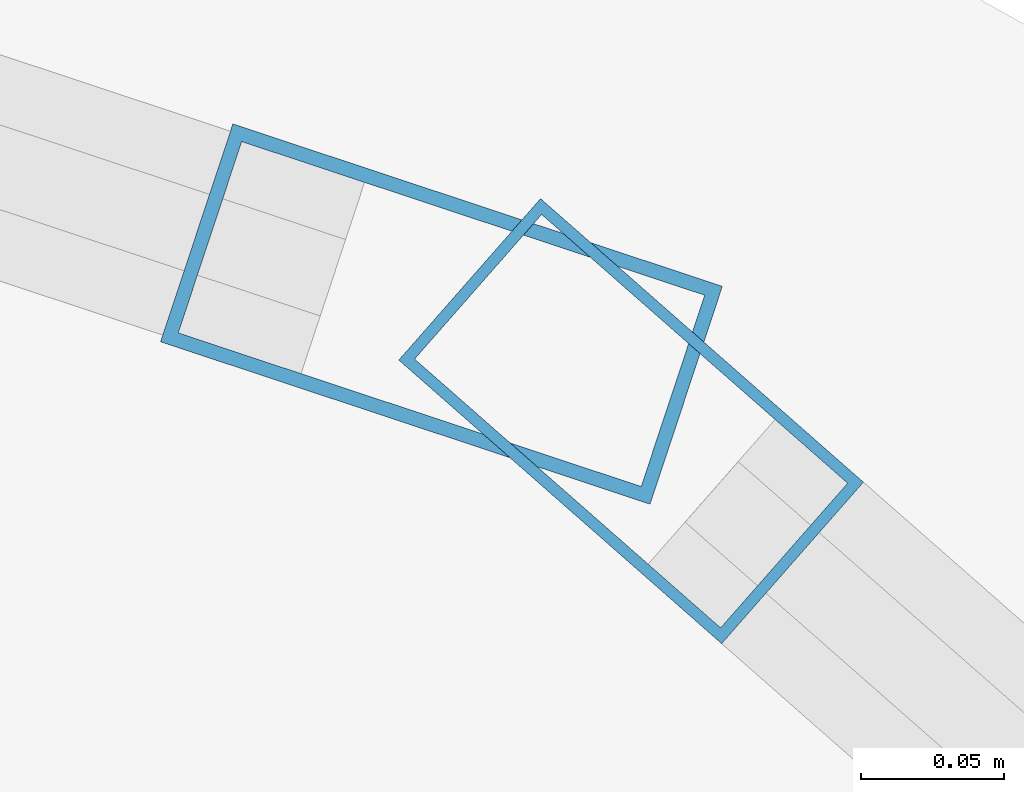
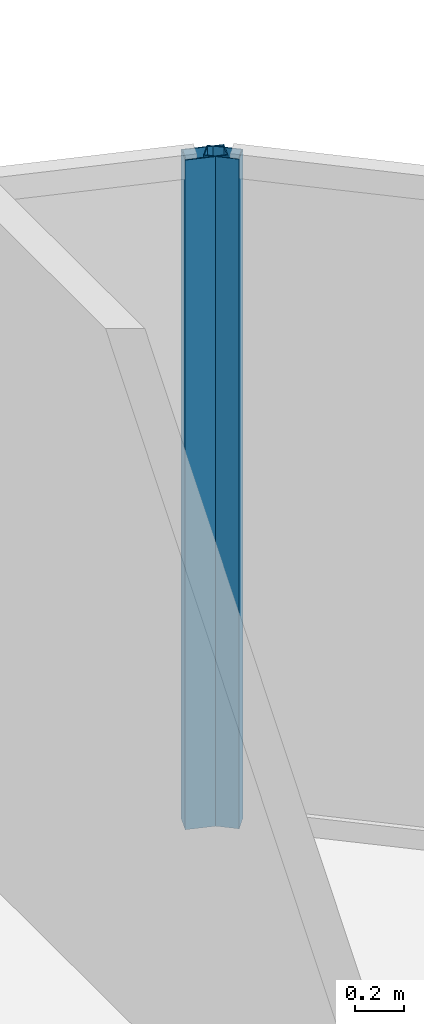
# One storey, part 21 of 34: 2 members, 2 elements without a shape of their own.
"""IFC4 building model written with IfcOpenShell, lengths in metres."""

import ifcopenshell
import ifcopenshell.guid

model = None  # the IFC model being written
_history = None  # IfcOwnerHistory: only IFC2X3 demands one
_inside = {}  # id of a spatial element -> (the spatial element, [elements in it])
_under = {}  # id of a project, library or spatial element -> (it, [spatial elements below it])
_declared = {}  # id of a project -> (the project, [libraries it declares])
_typed = {}  # id of a type object -> (the type object, [elements of that type])
_made_of = {}  # id of a material, layer set ... -> (it, [elements and type objects made of it])


def new_model(schema):
    """Start an empty IFC model of exactly this schema.

    Asked for "IFC4X3", IfcOpenShell would pick the latest addendum, in which some entities
    have other attributes; the version numbers below select the first issue.
    IFC2X3 requires an IfcOwnerHistory on every rooted entity: one is made here for all.
    """
    global model, _history
    if schema == "IFC4X3":
        model = ifcopenshell.file(schema_version=(4, 3, 0, 0))
    else:
        model = ifcopenshell.file(schema=schema)
    _inside.clear()
    _under.clear()
    _declared.clear()
    _typed.clear()
    _made_of.clear()
    _history = None
    if model.schema == "IFC2X3":
        org = make("IfcOrganization", Name="unknown")
        user = make(
            "IfcPersonAndOrganization",
            ThePerson=make("IfcPerson", FamilyName="unknown"),
            TheOrganization=org,
        )
        app = make(
            "IfcApplication",
            ApplicationDeveloper=org,
            Version="unknown",
            ApplicationFullName="unknown",
            ApplicationIdentifier="unknown",
        )
        _history = make(
            "IfcOwnerHistory",
            OwningUser=user,
            OwningApplication=app,
            ChangeAction="ADDED",
            CreationDate=0,
        )
    return model


def make(cls, **values):
    """One entity of the class cls with the attributes given. An attribute that is None is left unset."""
    return model.create_entity(
        cls, **{name: value for name, value in values.items() if value is not None}
    )


def rooted(cls, **values):
    """An entity with a GlobalId (a new one), such as an element, a storey or a relation."""
    return make(cls, GlobalId=ifcopenshell.guid.new(), OwnerHistory=_history, **values)


def si_unit(unit_type, name, prefix=None):
    """IfcSIUnit, for example si_unit("LENGTHUNIT", "METRE", prefix="MILLI")."""
    return make("IfcSIUnit", UnitType=unit_type, Prefix=prefix, Name=name)


def assignment(units):
    """IfcUnitAssignment: the units of a project."""
    return None if units is None else make("IfcUnitAssignment", Units=units)


def point(xyz):
    """IfcCartesianPoint."""
    return None if xyz is None else make("IfcCartesianPoint", Coordinates=xyz)


def direction(xyz):
    """IfcDirection."""
    return None if xyz is None else make("IfcDirection", DirectionRatios=xyz)


def frame(location, z_axis=None, x_axis=None):
    """IfcAxis2Placement3D, a coordinate frame: its origin and axes. An axis left out is left unset."""
    return make(
        "IfcAxis2Placement3D",
        Location=point(location),
        Axis=direction(z_axis),
        RefDirection=direction(x_axis),
    )


def frame_2d(location, x_axis=None):
    """IfcAxis2Placement2D, a coordinate frame in the plane: its origin and x axis."""
    return make(
        "IfcAxis2Placement2D", Location=point(location), RefDirection=direction(x_axis)
    )


def origin():
    """The frame at (0, 0, 0) with its axes left unset."""
    return frame((0.0, 0.0, 0.0))


def origin_2d():
    """The frame at (0, 0) in the plane with its x axis left unset."""
    return frame_2d((0.0, 0.0))


def place(relative_to, where):
    """IfcLocalPlacement: puts the frame where relative to a parent placement (None: the world)."""
    return make(
        "IfcLocalPlacement", PlacementRelTo=relative_to, RelativePlacement=where
    )


def context(
    kind, dimensions, precision=None, world=None, true_north=None, identifier=None
):
    """IfcGeometricRepresentationContext, for example the 3D "Model" context."""
    return make(
        "IfcGeometricRepresentationContext",
        ContextIdentifier=identifier,
        ContextType=kind,
        CoordinateSpaceDimension=dimensions,
        Precision=precision,
        WorldCoordinateSystem=world,
        TrueNorth=true_north,
    )


def subcontext(parent, identifier, kind, view, scale=None):
    """IfcGeometricRepresentationSubContext, for example "Body" below "Model"."""
    return make(
        "IfcGeometricRepresentationSubContext",
        ContextIdentifier=identifier,
        ContextType=kind,
        ParentContext=parent,
        TargetScale=scale,
        TargetView=view,
    )


def project(units=None, contexts=None):
    """IfcProject with its units and contexts."""
    return rooted(
        "IfcProject",
        Name="project",
        RepresentationContexts=contexts,
        UnitsInContext=assignment(units),
    )


def spatial(cls, under=None, at=None, **own):
    """A site, building, storey or space (cls), placed at a placement, below another one or the project."""
    s = rooted(cls, ObjectPlacement=at, **own)
    if under is not None:
        _under.setdefault(under.id(), (under, []))[1].append(s)
    return s


def profile(cls, at=None, kind="AREA", **sizes):
    """A parametric profile (cls). Its sizes go by their IFC names, for example OverallWidth=200.0."""
    return make(cls, ProfileType=kind, Position=at, **sizes)


def hollow_rectangle(**sizes):
    """IfcRectangleHollowProfileDef."""
    return profile("IfcRectangleHollowProfileDef", **sizes)


def extrude(swept, where, along, depth):
    """IfcExtrudedAreaSolid: the profile swept, set in the frame where, extruded along a direction by depth."""
    return make(
        "IfcExtrudedAreaSolid",
        SweptArea=swept,
        Position=where,
        ExtrudedDirection=direction(along),
        Depth=depth,
    )


def shape(context_of_items, identifier, shape_type, items):
    """IfcShapeRepresentation: the items that make up one representation, for example the "Body"."""
    return make(
        "IfcShapeRepresentation",
        ContextOfItems=context_of_items,
        RepresentationIdentifier=identifier,
        RepresentationType=shape_type,
        Items=items,
    )


def material(Name=None, Category=None):
    """IfcMaterial."""
    return make("IfcMaterial", Name=Name, Category=Category)


def layer(
    of_material, thickness, ventilated=None, Name=None, Category=None, Priority=None
):
    """IfcMaterialLayer: one layer of a wall or slab, of a material (None: an air gap)."""
    return make(
        "IfcMaterialLayer",
        Material=of_material,
        LayerThickness=thickness,
        IsVentilated=ventilated,
        Name=Name,
        Category=Category,
        Priority=Priority,
    )


def layer_set(layers, Name=None):
    """IfcMaterialLayerSet."""
    return make("IfcMaterialLayerSet", MaterialLayers=layers, LayerSetName=Name)


def material_profile(
    of_material, cross_section, Name=None, Category=None, Priority=None
):
    """IfcMaterialProfile: a cross section and its material."""
    return make(
        "IfcMaterialProfile",
        Name=Name,
        Material=of_material,
        Profile=cross_section,
        Priority=Priority,
        Category=Category,
    )


def profile_set(profiles, Name=None, composite=None):
    """IfcMaterialProfileSet."""
    return make(
        "IfcMaterialProfileSet",
        Name=Name,
        MaterialProfiles=profiles,
        CompositeProfile=composite,
    )


def made_of(thing, what):
    """Note that an element or type object is made of a material, layer set ...; save() writes the relation."""
    if what is not None:
        _made_of.setdefault(what.id(), (what, []))[1].append(thing)
    return thing


def type_object(cls, material=None, **own):
    """A type object (cls), such as IfcWallType, which elements share."""
    return made_of(rooted(cls, **own), material)


def element(
    cls,
    number,
    at=None,
    inside=None,
    cuts=None,
    type_object=None,
    material=None,
    context=None,
    identifier="Body",
    shape_type=None,
    held_by="IfcProductDefinitionShape",
    body=None,
    shapes=None,
    **own,
):
    """One element of the class cls, such as IfcWall. Its Tag is "e" and its number.

    at: its placement. inside: the storey or other place that contains it. cuts: it is an
    opening in that element (IfcRelVoidsElement). A single representation is given by context,
    identifier, shape_type and body (its items); several are given by shapes. held_by: the class
    of the entity that holds the representations. save() writes the other relations.
    """
    e = rooted(cls, Tag="e%d" % number, ObjectPlacement=at, **own)
    if body is not None:
        shapes = [shape(context, identifier, shape_type, body)]
    if shapes is not None:
        e.Representation = make(held_by, Representations=shapes)
    if inside is not None:
        _inside.setdefault(inside.id(), (inside, []))[1].append(e)
    if cuts is not None:
        rooted(
            "IfcRelVoidsElement", RelatingBuildingElement=cuts, RelatedOpeningElement=e
        )
    if type_object is not None:
        _typed.setdefault(type_object.id(), (type_object, []))[1].append(e)
    return made_of(e, material)


def aggregate(whole, parts):
    """IfcRelAggregates: a whole, such as a stair, and the parts it consists of."""
    return rooted("IfcRelAggregates", RelatingObject=whole, RelatedObjects=parts)


def save(model, path):
    """Write the relations noted so far, then the file.

    IfcRelAggregates (storeys below a building ...), IfcRelContainedInSpatialStructure (elements
    in a storey), IfcRelDefinesByType, IfcRelAssociatesMaterial and IfcRelDeclares: one each for
    every whole, place, type object, material and project.
    """
    for whole, parts in _under.values():
        aggregate(whole, parts)
    for where, things in _inside.values():
        rooted(
            "IfcRelContainedInSpatialStructure",
            RelatedElements=things,
            RelatingStructure=where,
        )
    for kind, things in _typed.values():
        rooted("IfcRelDefinesByType", RelatedObjects=things, RelatingType=kind)
    for what, things in _made_of.values():
        rooted("IfcRelAssociatesMaterial", RelatedObjects=things, RelatingMaterial=what)
    for by, libraries in _declared.values():
        rooted("IfcRelDeclares", RelatingContext=by, RelatedDefinitions=libraries)
    model.write(path)


model = new_model("IFC4")

# Units and contexts
model_context = context("Model", 3, precision=1e-05, world=origin(), true_north=direction((0.0, 1.0)))
body_context = subcontext(model_context, "Body", "Model", "MODEL_VIEW")
ifc_project = project(units=[si_unit("LENGTHUNIT", "METRE"), si_unit("AREAUNIT", "SQUARE_METRE"), si_unit("VOLUMEUNIT", "CUBIC_METRE"), si_unit("PLANEANGLEUNIT", "RADIAN"), si_unit("MASSUNIT", "GRAM", prefix="KILO")], contexts=[model_context])

# Site, building, storey
site_placement = place(None, origin())
site = spatial("IfcSite", under=ifc_project, at=site_placement, CompositionType="ELEMENT")
building_placement = place(site_placement, origin())
building = spatial("IfcBuilding", under=site, at=building_placement, Name="Kazevale Care Tower and Concert Hall", CompositionType="ELEMENT")
storey_placement = place(building_placement, frame((0.0, 0.0, 163.800048828125)))
storey = spatial("IfcBuildingStorey", under=building, at=storey_placement, Name="L43", CompositionType="ELEMENT", Elevation=163.800048828125)

# Curtain wall, member
ifc_material_1 = material(Name="Aluminium 6063-T6 and Low-E Glass", Category="aluminium")
ifc_layer_1 = layer(ifc_material_1, 0.179931640625)
ifc_layer_set_1 = layer_set([ifc_layer_1], Name="Aluminium 6063-T6 and Low-E Glass")
curtain_wall_type_1 = type_object("IfcCurtainWallType", Name="Convex Checkerboard Finned Curtain Wall CW-2", PredefinedType="NOTDEFINED", material=ifc_layer_set_1)
curtain_wall_1_placement = place(storey_placement, origin())
curtain_wall_1 = element("IfcCurtainWall", 1, at=curtain_wall_1_placement, inside=storey, type_object=curtain_wall_type_1, Name="cw:L43:f16", PredefinedType="NOTDEFINED")
ifc_material_2 = material(Name="Aluminium 6063-T6", Category="aluminium")
ifc_material_profile_1 = material_profile(ifc_material_2, hollow_rectangle(XDim=0.080078125, YDim=0.179931640625, WallThickness=0.0048828125, at=origin_2d()), Name="ALU80x180x5")
ifc_profile_set_1 = profile_set([ifc_material_profile_1], Name="Aluminium 6063-T6")
member_type_1 = type_object("IfcMemberType", Name="CW-2 Mullion ALU80x180x5", PredefinedType="MULLION", material=ifc_profile_set_1)
member_1_placement = place(storey_placement, frame((63.14501953125, 60.734619140625, 0.0), z_axis=(0.0, 0.0, 1.0), x_axis=(0.314868185785, 0.949135409507, 0.0)))
member_1 = element("IfcMember", 2, at=member_1_placement, type_object=member_type_1, Name="CW-2 mullion 2", PredefinedType="MULLION", context=body_context, shape_type="SweptSolid", body=[
    extrude(hollow_rectangle(XDim=0.080078125, YDim=0.179931640625, WallThickness=0.0048828125, at=origin_2d()), origin(), (0.0, 0.0, 1.0), 3.35986328125),
])
aggregate(curtain_wall_1, [member_1])

ifc_layer_2 = layer(ifc_material_1, 0.179931640625)
ifc_layer_set_2 = layer_set([ifc_layer_2], Name="Aluminium 6063-T6 and Low-E Glass")
curtain_wall_type_2 = type_object("IfcCurtainWallType", Name="Convex Recessed Sunroom Curtain Wall CW-3", PredefinedType="NOTDEFINED", material=ifc_layer_set_2)
curtain_wall_2_placement = place(storey_placement, origin())
curtain_wall_2 = element("IfcCurtainWall", 3, at=curtain_wall_2_placement, inside=storey, type_object=curtain_wall_type_2, Name="cw:L43:f17", PredefinedType="NOTDEFINED")
ifc_material_profile_2 = material_profile(ifc_material_2, hollow_rectangle(XDim=0.074951171875, YDim=0.14990234375, WallThickness=0.00390625, at=origin_2d()), Name="ALU75x150x4")
ifc_profile_set_2 = profile_set([ifc_material_profile_2], Name="Aluminium 6063-T6")
member_type_2 = type_object("IfcMemberType", Name="CW-3 Mullion ALU75x150x4", PredefinedType="MULLION", material=ifc_profile_set_2)
member_2_placement = place(storey_placement, frame((63.211181640625, 60.697265625, 0.0), z_axis=(0.0, 0.0, 1.0), x_axis=(0.659891732197, 0.751360700182, 0.0)))
member_2 = element("IfcMember", 4, at=member_2_placement, type_object=member_type_2, Name="CW-3 mullion 1", PredefinedType="MULLION", context=body_context, shape_type="SweptSolid", body=[
    extrude(hollow_rectangle(XDim=0.074951171875, YDim=0.14990234375, WallThickness=0.00390625, at=origin_2d()), origin(), (0.0, 0.0, 1.0), 3.35986328125),
])
aggregate(curtain_wall_2, [member_2])

save(model, "model.ifc")
